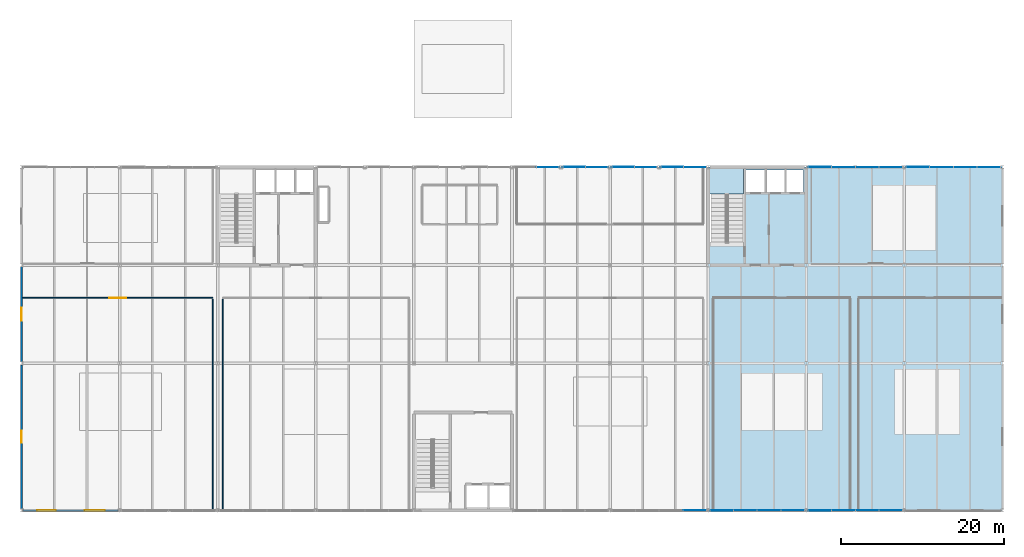
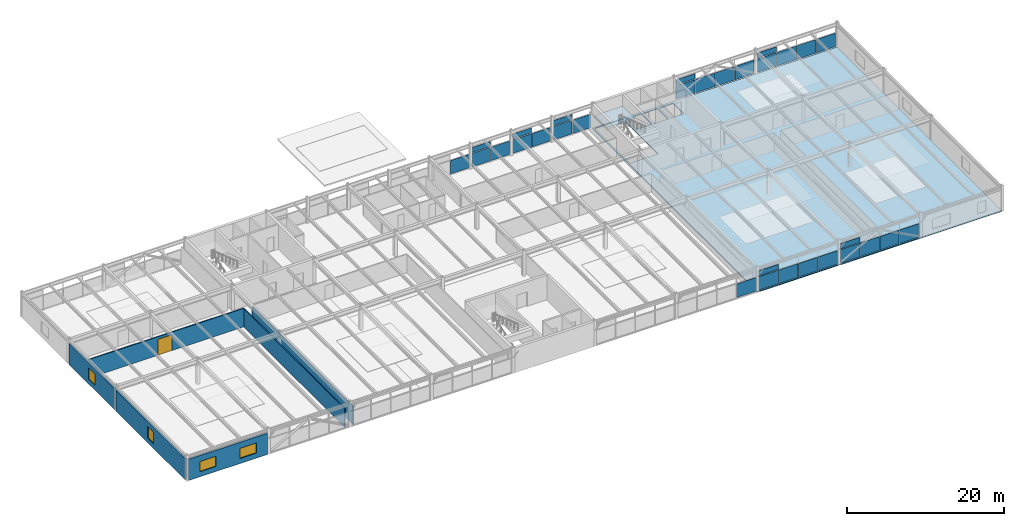
# One storey, part 40 of 49: 31 plates, 6 walls, 4 windows, 2 slabs, 1 door, 5 openings, 10 elements without a shape of their own.
"""IFC4 building model written with IfcOpenShell, lengths in metres."""

from ifc_helpers import new_model, si_unit, direction, frame, frame_2d, origin, origin_2d, place, context, subcontext, project, spatial, polyline, rectangle, outline, extrude, material, layer, layer_set, type_object, element, fill, aggregate, save


model = new_model("IFC4")

# Units and contexts
model_context = context("Model", 3, precision=1e-05, world=origin(), true_north=direction((0.0, 1.0)))
body_context = subcontext(model_context, "Body", "Model", "MODEL_VIEW")
ifc_project = project(units=[si_unit("LENGTHUNIT", "METRE"), si_unit("AREAUNIT", "SQUARE_METRE"), si_unit("VOLUMEUNIT", "CUBIC_METRE"), si_unit("PLANEANGLEUNIT", "RADIAN"), si_unit("MASSUNIT", "GRAM", prefix="KILO")], contexts=[model_context])

# Site, building, storey
site_placement = place(None, origin())
site = spatial("IfcSite", under=ifc_project, at=site_placement, CompositionType="ELEMENT")
building_placement = place(site_placement, origin())
building = spatial("IfcBuilding", under=site, at=building_placement, Name="Girod Span Mobility Hub", CompositionType="ELEMENT")
storey_placement = place(building_placement, frame((0.0, 0.0, 37.60009765625)))
storey = spatial("IfcBuildingStorey", under=building, at=storey_placement, Name="L09", CompositionType="ELEMENT", Elevation=37.60009765625)

# Curtain wall, plate
ifc_material_1 = material(Name="Thermally Broken Anodised Aluminium", Category="aluminium")
curtain_wall_type_1 = type_object("IfcCurtainWallType", Name="CW-561X329", PredefinedType="USERDEFINED", material=ifc_material_1)
curtain_wall_1_placement = place(storey_placement, origin())
curtain_wall_1 = element("IfcCurtainWall", 1, at=curtain_wall_1_placement, inside=storey, type_object=curtain_wall_type_1, Name="Unitised Curtain Wall CW-L09-N08E L09", ObjectType="UNITISED CURTAIN WALL", PredefinedType="USERDEFINED")
ifc_material_2 = material(Name="Double Low-E Insulated Glazing", Category="glass")
ifc_layer_1 = layer(ifc_material_2, 0.0380859375)
ifc_layer_set_1 = layer_set([ifc_layer_1], Name="Double Low-E Insulated Glazing")
plate_type_1 = type_object("IfcPlateType", Name="PLT-SPN-2734X841X38", PredefinedType="CURTAIN_PANEL", material=ifc_layer_set_1)
plate_1_placement = place(storey_placement, frame((91.596923828125, 69.0, 2.36962890625), z_axis=(0.0, 0.0, 1.0), x_axis=(1.0, 0.0, 0.0)))
plate_1 = element("IfcPlate", 2, at=plate_1_placement, type_object=plate_type_1, Name="Spandrel Glazing Panel CW-L09-N08E-S1", PredefinedType="CURTAIN_PANEL", context=body_context, shape_type="SweptSolid", body=[
    extrude(rectangle(XDim=2.73974609375, YDim=0.0380859375, at=origin_2d()), origin(), (0.0, 0.0, 1.0), 0.801513671875),
])

curtain_wall_2_placement = place(storey_placement, origin())
curtain_wall_2 = element("IfcCurtainWall", 3, at=curtain_wall_2_placement, inside=storey, type_object=curtain_wall_type_1, Name="Unitised Curtain Wall CW-L09-N09W L09", ObjectType="UNITISED CURTAIN WALL", PredefinedType="USERDEFINED")
plate_2_placement = place(storey_placement, frame((97.599365234375, 69.0, 2.36962890625), z_axis=(0.0, 0.0, 1.0), x_axis=(1.0, 0.0, 0.0)))
plate_2 = element("IfcPlate", 4, at=plate_2_placement, type_object=plate_type_1, Name="Spandrel Glazing Panel CW-L09-N09W-S1", PredefinedType="CURTAIN_PANEL", context=body_context, shape_type="SweptSolid", body=[
    extrude(rectangle(XDim=2.73974609375, YDim=0.0380859375, at=origin_2d()), origin(), (0.0, 0.0, 1.0), 0.801513671875),
])

curtain_wall_3_placement = place(storey_placement, origin())
curtain_wall_3 = element("IfcCurtainWall", 5, at=curtain_wall_3_placement, inside=storey, type_object=curtain_wall_type_1, Name="Unitised Curtain Wall CW-L09-N09E L09", ObjectType="UNITISED CURTAIN WALL", PredefinedType="USERDEFINED")
plate_3_placement = place(storey_placement, frame((103.596923828125, 69.0, 2.36962890625), z_axis=(0.0, 0.0, 1.0), x_axis=(1.0, 0.0, 0.0)))
plate_3 = element("IfcPlate", 6, at=plate_3_placement, type_object=plate_type_1, Name="Spandrel Glazing Panel CW-L09-N09E-S1", PredefinedType="CURTAIN_PANEL", context=body_context, shape_type="SweptSolid", body=[
    extrude(rectangle(XDim=2.73974609375, YDim=0.0380859375, at=origin_2d()), origin(), (0.0, 0.0, 1.0), 0.801513671875),
])

ifc_material_3 = material(Name="Thermally Broken Anodised Aluminium", Category="aluminium")
curtain_wall_type_2 = type_object("IfcCurtainWallType", Name="CW-1161X329", PredefinedType="USERDEFINED", material=ifc_material_3)
curtain_wall_4_placement = place(storey_placement, origin())
curtain_wall_4 = element("IfcCurtainWall", 7, at=curtain_wall_4_placement, inside=storey, type_object=curtain_wall_type_2, Name="Unitised Curtain Wall CW-L09-N11 L09", ObjectType="UNITISED CURTAIN WALL", PredefinedType="USERDEFINED")
ifc_material_4 = material(Name="Double Low-E Insulated Glazing", Category="glass")
ifc_layer_2 = layer(ifc_material_4, 0.0380859375)
ifc_layer_set_2 = layer_set([ifc_layer_2], Name="Double Low-E Insulated Glazing")
plate_type_2 = type_object("IfcPlateType", Name="PLT-SPN-2832X841X38", PredefinedType="CURTAIN_PANEL", material=ifc_layer_set_2)
plate_4_placement = place(storey_placement, frame((121.6484375, 69.0, 2.36962890625), z_axis=(0.0, 0.0, 1.0), x_axis=(1.0, 0.0, 0.0)))
plate_4 = element("IfcPlate", 8, at=plate_4_placement, type_object=plate_type_2, Name="Spandrel Glazing Panel CW-L09-N11-S1", PredefinedType="CURTAIN_PANEL", context=body_context, shape_type="SweptSolid", body=[
    extrude(rectangle(XDim=2.837890625, YDim=0.0380859375, at=origin_2d()), origin(), (0.0, 0.0, 1.0), 0.801513671875),
])

curtain_wall_5_placement = place(storey_placement, origin())
curtain_wall_5 = element("IfcCurtainWall", 9, at=curtain_wall_5_placement, inside=storey, type_object=curtain_wall_type_2, Name="Unitised Curtain Wall CW-L09-S10 L09", ObjectType="UNITISED CURTAIN WALL", PredefinedType="USERDEFINED")
ifc_material_5 = material(Name="Double Low-E Insulated Glazing", Category="glass")
ifc_layer_3 = layer(ifc_material_5, 0.0380859375)
ifc_layer_set_3 = layer_set([ifc_layer_3], Name="Double Low-E Insulated Glazing")
plate_type_3 = type_object("IfcPlateType", Name="PLT-SPN-2833X841X38", PredefinedType="CURTAIN_PANEL", material=ifc_layer_set_3)
plate_5_placement = place(storey_placement, frame((109.646240234375, 27.0, 2.36962890625), z_axis=(0.0, 0.0, 1.0), x_axis=(1.0, 0.0, 0.0)))
plate_5 = element("IfcPlate", 10, at=plate_5_placement, type_object=plate_type_3, Name="Spandrel Glazing Panel CW-L09-S10-S1", PredefinedType="CURTAIN_PANEL", context=body_context, shape_type="SweptSolid", body=[
    extrude(rectangle(XDim=2.83837890625, YDim=0.0380859375, at=origin_2d()), origin(), (0.0, 0.0, 1.0), 0.801513671875),
])

curtain_wall_6_placement = place(storey_placement, origin())
curtain_wall_6 = element("IfcCurtainWall", 11, at=curtain_wall_6_placement, inside=storey, type_object=curtain_wall_type_2, Name="Unitised Curtain Wall CW-L09-S11 L09", ObjectType="UNITISED CURTAIN WALL", PredefinedType="USERDEFINED")
plate_6_placement = place(storey_placement, frame((121.646240234375, 27.0, 2.36962890625), z_axis=(0.0, 0.0, 1.0), x_axis=(1.0, 0.0, 0.0)))
plate_6 = element("IfcPlate", 12, at=plate_6_placement, type_object=plate_type_3, Name="Spandrel Glazing Panel CW-L09-S11-S1", PredefinedType="CURTAIN_PANEL", context=body_context, shape_type="SweptSolid", body=[
    extrude(rectangle(XDim=2.83837890625, YDim=0.0380859375, at=origin_2d()), origin(), (0.0, 0.0, 1.0), 0.801513671875),
])

curtain_wall_7_placement = place(storey_placement, origin())
curtain_wall_7 = element("IfcCurtainWall", 13, at=curtain_wall_7_placement, inside=storey, type_object=curtain_wall_type_2, Name="Unitised Curtain Wall CW-L09-N12 L09", ObjectType="UNITISED CURTAIN WALL", PredefinedType="USERDEFINED")
plate_7_placement = place(storey_placement, frame((133.646240234375, 69.0, 2.36962890625), z_axis=(0.0, 0.0, 1.0), x_axis=(1.0, 0.0, 0.0)))
plate_7 = element("IfcPlate", 14, at=plate_7_placement, type_object=plate_type_3, Name="Spandrel Glazing Panel CW-L09-N12-S1", PredefinedType="CURTAIN_PANEL", context=body_context, shape_type="SweptSolid", body=[
    extrude(rectangle(XDim=2.83837890625, YDim=0.0380859375, at=origin_2d()), origin(), (0.0, 0.0, 1.0), 0.801513671875),
])

curtain_wall_8_placement = place(storey_placement, origin())
curtain_wall_8 = element("IfcCurtainWall", 15, at=curtain_wall_8_placement, inside=storey, type_object=curtain_wall_type_1, Name="Unitised Curtain Wall CW-L09-N08W L09", ObjectType="UNITISED CURTAIN WALL", PredefinedType="USERDEFINED")
ifc_material_6 = material(Name="Double Low-E Insulated Glazing", Category="glass")
ifc_layer_4 = layer(ifc_material_6, 0.02587890625)
ifc_layer_set_4 = layer_set([ifc_layer_4], Name="Double Low-E Insulated Glazing")
plate_type_4 = type_object("IfcPlateType", Name="PLT-VIS-2734X2370X26", PredefinedType="CURTAIN_PANEL", material=ifc_layer_set_4)
plate_8_placement = place(storey_placement, frame((88.403076171875, 69.0, 0.1396484375), z_axis=(0.0, 0.0, 1.0), x_axis=(1.0, 0.0, 0.0)))
plate_8 = element("IfcPlate", 16, at=plate_8_placement, type_object=plate_type_4, Name="Vision Glazing Panel CW-L09-N08W-V2", PredefinedType="CURTAIN_PANEL", context=body_context, shape_type="SweptSolid", body=[
    extrude(rectangle(XDim=2.73974609375, YDim=0.02587890625, at=origin_2d()), origin(), (0.0, 0.0, 1.0), 2.109619140625),
])
aggregate(curtain_wall_8, [plate_8])

# Plate
plate_9_placement = place(storey_placement, frame((91.596923828125, 69.0, 0.1396484375), z_axis=(0.0, 0.0, 1.0), x_axis=(1.0, 0.0, 0.0)))
plate_9 = element("IfcPlate", 17, at=plate_9_placement, type_object=plate_type_4, Name="Vision Glazing Panel CW-L09-N08E-V1", PredefinedType="CURTAIN_PANEL", context=body_context, shape_type="SweptSolid", body=[
    extrude(rectangle(XDim=2.73974609375, YDim=0.02587890625, at=origin_2d()), origin(), (0.0, 0.0, 1.0), 2.109619140625),
])

plate_10_placement = place(storey_placement, frame((94.400634765625, 69.0, 0.1396484375), z_axis=(0.0, 0.0, 1.0), x_axis=(1.0, 0.0, 0.0)))
plate_10 = element("IfcPlate", 18, at=plate_10_placement, type_object=plate_type_4, Name="Vision Glazing Panel CW-L09-N08E-V2", PredefinedType="CURTAIN_PANEL", context=body_context, shape_type="SweptSolid", body=[
    extrude(rectangle(XDim=2.73974609375, YDim=0.02587890625, at=origin_2d()), origin(), (0.0, 0.0, 1.0), 2.109619140625),
])

aggregate(curtain_wall_1, [plate_9, plate_1, plate_10])

plate_11_placement = place(storey_placement, frame((97.599365234375, 69.0, 0.1396484375), z_axis=(0.0, 0.0, 1.0), x_axis=(1.0, 0.0, 0.0)))
plate_11 = element("IfcPlate", 19, at=plate_11_placement, type_object=plate_type_4, Name="Vision Glazing Panel CW-L09-N09W-V1", PredefinedType="CURTAIN_PANEL", context=body_context, shape_type="SweptSolid", body=[
    extrude(rectangle(XDim=2.73974609375, YDim=0.02587890625, at=origin_2d()), origin(), (0.0, 0.0, 1.0), 2.109619140625),
])

plate_12_placement = place(storey_placement, frame((100.403076171875, 69.0, 0.1396484375), z_axis=(0.0, 0.0, 1.0), x_axis=(1.0, 0.0, 0.0)))
plate_12 = element("IfcPlate", 20, at=plate_12_placement, type_object=plate_type_4, Name="Vision Glazing Panel CW-L09-N09W-V2", PredefinedType="CURTAIN_PANEL", context=body_context, shape_type="SweptSolid", body=[
    extrude(rectangle(XDim=2.73974609375, YDim=0.02587890625, at=origin_2d()), origin(), (0.0, 0.0, 1.0), 2.109619140625),
])

aggregate(curtain_wall_2, [plate_11, plate_2, plate_12])

plate_13_placement = place(storey_placement, frame((103.596923828125, 69.0, 0.1396484375), z_axis=(0.0, 0.0, 1.0), x_axis=(1.0, 0.0, 0.0)))
plate_13 = element("IfcPlate", 21, at=plate_13_placement, type_object=plate_type_4, Name="Vision Glazing Panel CW-L09-N09E-V1", PredefinedType="CURTAIN_PANEL", context=body_context, shape_type="SweptSolid", body=[
    extrude(rectangle(XDim=2.73974609375, YDim=0.02587890625, at=origin_2d()), origin(), (0.0, 0.0, 1.0), 2.109619140625),
])

plate_14_placement = place(storey_placement, frame((106.400634765625, 69.0, 0.1396484375), z_axis=(0.0, 0.0, 1.0), x_axis=(1.0, 0.0, 0.0)))
plate_14 = element("IfcPlate", 22, at=plate_14_placement, type_object=plate_type_4, Name="Vision Glazing Panel CW-L09-N09E-V2", PredefinedType="CURTAIN_PANEL", context=body_context, shape_type="SweptSolid", body=[
    extrude(rectangle(XDim=2.73974609375, YDim=0.02587890625, at=origin_2d()), origin(), (0.0, 0.0, 1.0), 2.109619140625),
])

aggregate(curtain_wall_3, [plate_13, plate_3, plate_14])

ifc_material_7 = material(Name="Double Low-E Insulated Glazing", Category="glass")
ifc_layer_5 = layer(ifc_material_7, 0.02587890625)
ifc_layer_set_5 = layer_set([ifc_layer_5], Name="Double Low-E Insulated Glazing")
plate_type_5 = type_object("IfcPlateType", Name="PLT-VIS-2832X2370X26", PredefinedType="CURTAIN_PANEL", material=ifc_layer_set_5)
plate_15_placement = place(storey_placement, frame((121.6484375, 69.0, 0.1396484375), z_axis=(0.0, 0.0, 1.0), x_axis=(1.0, 0.0, 0.0)))
plate_15 = element("IfcPlate", 23, at=plate_15_placement, type_object=plate_type_5, Name="Vision Glazing Panel CW-L09-N11-V1", PredefinedType="CURTAIN_PANEL", context=body_context, shape_type="SweptSolid", body=[
    extrude(rectangle(XDim=2.837890625, YDim=0.02587890625, at=origin_2d()), origin(), (0.0, 0.0, 1.0), 2.109619140625),
])

plate_16_placement = place(storey_placement, frame((124.55029296875, 69.0, 0.1396484375), z_axis=(0.0, 0.0, 1.0), x_axis=(1.0, 0.0, 0.0)))
plate_16 = element("IfcPlate", 24, at=plate_16_placement, type_object=plate_type_5, Name="Vision Glazing Panel CW-L09-N11-V2", PredefinedType="CURTAIN_PANEL", context=body_context, shape_type="SweptSolid", body=[
    extrude(rectangle(XDim=2.837890625, YDim=0.02587890625, at=origin_2d()), origin(), (0.0, 0.0, 1.0), 2.109619140625),
])

plate_17_placement = place(storey_placement, frame((127.4521484375, 69.0, 0.1396484375), z_axis=(0.0, 0.0, 1.0), x_axis=(1.0, 0.0, 0.0)))
plate_17 = element("IfcPlate", 25, at=plate_17_placement, type_object=plate_type_5, Name="Vision Glazing Panel CW-L09-N11-V3", PredefinedType="CURTAIN_PANEL", context=body_context, shape_type="SweptSolid", body=[
    extrude(rectangle(XDim=2.837890625, YDim=0.02587890625, at=origin_2d()), origin(), (0.0, 0.0, 1.0), 2.109619140625),
])

plate_18_placement = place(storey_placement, frame((130.35400390625, 69.0, 0.1396484375), z_axis=(0.0, 0.0, 1.0), x_axis=(1.0, 0.0, 0.0)))
plate_18 = element("IfcPlate", 26, at=plate_18_placement, type_object=plate_type_5, Name="Vision Glazing Panel CW-L09-N11-V4", PredefinedType="CURTAIN_PANEL", context=body_context, shape_type="SweptSolid", body=[
    extrude(rectangle(XDim=2.837890625, YDim=0.02587890625, at=origin_2d()), origin(), (0.0, 0.0, 1.0), 2.109619140625),
])

aggregate(curtain_wall_4, [plate_15, plate_4, plate_16, plate_17, plate_18])

# Curtain wall, plate
curtain_wall_9_placement = place(storey_placement, origin())
curtain_wall_9 = element("IfcCurtainWall", 27, at=curtain_wall_9_placement, inside=storey, type_object=curtain_wall_type_2, Name="Unitised Curtain Wall CW-L09-S09 L09", ObjectType="UNITISED CURTAIN WALL", PredefinedType="USERDEFINED")
ifc_material_8 = material(Name="Double Low-E Insulated Glazing", Category="glass")
ifc_layer_6 = layer(ifc_material_8, 0.02587890625)
ifc_layer_set_6 = layer_set([ifc_layer_6], Name="Double Low-E Insulated Glazing")
plate_type_6 = type_object("IfcPlateType", Name="PLT-VIS-2833X2370X26", PredefinedType="CURTAIN_PANEL", material=ifc_layer_set_6)
plate_19_placement = place(storey_placement, frame((106.353759765625, 27.0, 0.1396484375), z_axis=(0.0, 0.0, 1.0), x_axis=(1.0, 0.0, 0.0)))
plate_19 = element("IfcPlate", 28, at=plate_19_placement, type_object=plate_type_6, Name="Vision Glazing Panel CW-L09-S09-V4", PredefinedType="CURTAIN_PANEL", context=body_context, shape_type="SweptSolid", body=[
    extrude(rectangle(XDim=2.83837890625, YDim=0.02587890625, at=origin_2d()), origin(), (0.0, 0.0, 1.0), 2.109619140625),
])
aggregate(curtain_wall_9, [plate_19])

# Plate
plate_20_placement = place(storey_placement, frame((109.646240234375, 27.0, 0.1396484375), z_axis=(0.0, 0.0, 1.0), x_axis=(1.0, 0.0, 0.0)))
plate_20 = element("IfcPlate", 29, at=plate_20_placement, type_object=plate_type_6, Name="Vision Glazing Panel CW-L09-S10-V1", PredefinedType="CURTAIN_PANEL", context=body_context, shape_type="SweptSolid", body=[
    extrude(rectangle(XDim=2.83837890625, YDim=0.02587890625, at=origin_2d()), origin(), (0.0, 0.0, 1.0), 2.109619140625),
])

plate_21_placement = place(storey_placement, frame((112.548828125, 27.0, 0.1396484375), z_axis=(0.0, 0.0, 1.0), x_axis=(1.0, 0.0, 0.0)))
plate_21 = element("IfcPlate", 30, at=plate_21_placement, type_object=plate_type_6, Name="Vision Glazing Panel CW-L09-S10-V2", PredefinedType="CURTAIN_PANEL", context=body_context, shape_type="SweptSolid", body=[
    extrude(rectangle(XDim=2.83837890625, YDim=0.02587890625, at=origin_2d()), origin(), (0.0, 0.0, 1.0), 2.109619140625),
])

plate_22_placement = place(storey_placement, frame((115.451171875, 27.0, 0.1396484375), z_axis=(0.0, 0.0, 1.0), x_axis=(1.0, 0.0, 0.0)))
plate_22 = element("IfcPlate", 31, at=plate_22_placement, type_object=plate_type_6, Name="Vision Glazing Panel CW-L09-S10-V3", PredefinedType="CURTAIN_PANEL", context=body_context, shape_type="SweptSolid", body=[
    extrude(rectangle(XDim=2.83837890625, YDim=0.02587890625, at=origin_2d()), origin(), (0.0, 0.0, 1.0), 2.109619140625),
])

plate_23_placement = place(storey_placement, frame((118.353759765625, 27.0, 0.1396484375), z_axis=(0.0, 0.0, 1.0), x_axis=(1.0, 0.0, 0.0)))
plate_23 = element("IfcPlate", 32, at=plate_23_placement, type_object=plate_type_6, Name="Vision Glazing Panel CW-L09-S10-V4", PredefinedType="CURTAIN_PANEL", context=body_context, shape_type="SweptSolid", body=[
    extrude(rectangle(XDim=2.83837890625, YDim=0.02587890625, at=origin_2d()), origin(), (0.0, 0.0, 1.0), 2.109619140625),
])

aggregate(curtain_wall_5, [plate_20, plate_5, plate_21, plate_22, plate_23])

plate_24_placement = place(storey_placement, frame((121.646240234375, 27.0, 0.1396484375), z_axis=(0.0, 0.0, 1.0), x_axis=(1.0, 0.0, 0.0)))
plate_24 = element("IfcPlate", 33, at=plate_24_placement, type_object=plate_type_6, Name="Vision Glazing Panel CW-L09-S11-V1", PredefinedType="CURTAIN_PANEL", context=body_context, shape_type="SweptSolid", body=[
    extrude(rectangle(XDim=2.83837890625, YDim=0.02587890625, at=origin_2d()), origin(), (0.0, 0.0, 1.0), 2.109619140625),
])

plate_25_placement = place(storey_placement, frame((124.548828125, 27.0, 0.1396484375), z_axis=(0.0, 0.0, 1.0), x_axis=(1.0, 0.0, 0.0)))
plate_25 = element("IfcPlate", 34, at=plate_25_placement, type_object=plate_type_6, Name="Vision Glazing Panel CW-L09-S11-V2", PredefinedType="CURTAIN_PANEL", context=body_context, shape_type="SweptSolid", body=[
    extrude(rectangle(XDim=2.83837890625, YDim=0.02587890625, at=origin_2d()), origin(), (0.0, 0.0, 1.0), 2.109619140625),
])

plate_26_placement = place(storey_placement, frame((127.451171875, 27.0, 0.1396484375), z_axis=(0.0, 0.0, 1.0), x_axis=(1.0, 0.0, 0.0)))
plate_26 = element("IfcPlate", 35, at=plate_26_placement, type_object=plate_type_6, Name="Vision Glazing Panel CW-L09-S11-V3", PredefinedType="CURTAIN_PANEL", context=body_context, shape_type="SweptSolid", body=[
    extrude(rectangle(XDim=2.83837890625, YDim=0.02587890625, at=origin_2d()), origin(), (0.0, 0.0, 1.0), 2.109619140625),
])

plate_27_placement = place(storey_placement, frame((130.353759765625, 27.0, 0.1396484375), z_axis=(0.0, 0.0, 1.0), x_axis=(1.0, 0.0, 0.0)))
plate_27 = element("IfcPlate", 36, at=plate_27_placement, type_object=plate_type_6, Name="Vision Glazing Panel CW-L09-S11-V4", PredefinedType="CURTAIN_PANEL", context=body_context, shape_type="SweptSolid", body=[
    extrude(rectangle(XDim=2.83837890625, YDim=0.02587890625, at=origin_2d()), origin(), (0.0, 0.0, 1.0), 2.109619140625),
])

aggregate(curtain_wall_6, [plate_24, plate_6, plate_25, plate_26, plate_27])

plate_28_placement = place(storey_placement, frame((133.646240234375, 69.0, 0.1396484375), z_axis=(0.0, 0.0, 1.0), x_axis=(1.0, 0.0, 0.0)))
plate_28 = element("IfcPlate", 37, at=plate_28_placement, type_object=plate_type_6, Name="Vision Glazing Panel CW-L09-N12-V1", PredefinedType="CURTAIN_PANEL", context=body_context, shape_type="SweptSolid", body=[
    extrude(rectangle(XDim=2.83837890625, YDim=0.02587890625, at=origin_2d()), origin(), (0.0, 0.0, 1.0), 2.109619140625),
])

plate_29_placement = place(storey_placement, frame((136.548828125, 69.0, 0.1396484375), z_axis=(0.0, 0.0, 1.0), x_axis=(1.0, 0.0, 0.0)))
plate_29 = element("IfcPlate", 38, at=plate_29_placement, type_object=plate_type_6, Name="Vision Glazing Panel CW-L09-N12-V2", PredefinedType="CURTAIN_PANEL", context=body_context, shape_type="SweptSolid", body=[
    extrude(rectangle(XDim=2.83837890625, YDim=0.02587890625, at=origin_2d()), origin(), (0.0, 0.0, 1.0), 2.109619140625),
])

plate_30_placement = place(storey_placement, frame((139.451171875, 69.0, 0.1396484375), z_axis=(0.0, 0.0, 1.0), x_axis=(1.0, 0.0, 0.0)))
plate_30 = element("IfcPlate", 39, at=plate_30_placement, type_object=plate_type_6, Name="Vision Glazing Panel CW-L09-N12-V3", PredefinedType="CURTAIN_PANEL", context=body_context, shape_type="SweptSolid", body=[
    extrude(rectangle(XDim=2.83837890625, YDim=0.02587890625, at=origin_2d()), origin(), (0.0, 0.0, 1.0), 2.109619140625),
])

plate_31_placement = place(storey_placement, frame((142.353759765625, 69.0, 0.1396484375), z_axis=(0.0, 0.0, 1.0), x_axis=(1.0, 0.0, 0.0)))
plate_31 = element("IfcPlate", 40, at=plate_31_placement, type_object=plate_type_6, Name="Vision Glazing Panel CW-L09-N12-V4", PredefinedType="CURTAIN_PANEL", context=body_context, shape_type="SweptSolid", body=[
    extrude(rectangle(XDim=2.83837890625, YDim=0.02587890625, at=origin_2d()), origin(), (0.0, 0.0, 1.0), 2.109619140625),
])

aggregate(curtain_wall_7, [plate_28, plate_7, plate_29, plate_30, plate_31])

# Slab
ifc_material_9 = material(Name="Concrete C40/50", Category="concrete")
ifc_layer_7 = layer(ifc_material_9, 0.159912109375)
ifc_layer_set_7 = layer_set([ifc_layer_7], Name="Concrete C40/50")
slab_type_1 = type_object("IfcSlabType", Name="SL-FLR-160", PredefinedType="FLOOR", material=ifc_layer_set_7)
slab_1_placement = place(storey_placement, frame((0.0, 0.0, -0.16015625)))
element("IfcSlab", 41, at=slab_1_placement, inside=storey, type_object=slab_type_1, Name="Floor Slab L09 Sector E", PredefinedType="FLOOR", context=body_context, shape_type="SweptSolid", body=[
    extrude(outline(polyline([(144.0, 69.0), (144.0, 27.0), (108.0, 27.0), (108.0, 69.0), (144.0, 69.0)]), holes=[polyline([(108.219970703125, 68.820068359375), (108.219970703125, 59.8349609375), (112.340087890625, 59.8349609375), (112.340087890625, 68.820068359375), (108.219970703125, 68.820068359375)]), polyline([(112.64990234375, 65.949951171875), (114.949951171875, 65.949951171875), (114.949951171875, 68.64990234375), (112.64990234375, 68.64990234375), (112.64990234375, 65.949951171875)]), polyline([(115.199951171875, 68.64990234375), (115.199951171875, 65.949951171875), (117.35009765625, 65.949951171875), (117.35009765625, 68.64990234375), (115.199951171875, 68.64990234375)]), polyline([(117.60009765625, 68.64990234375), (117.60009765625, 65.949951171875), (119.64990234375, 65.949951171875), (119.64990234375, 68.64990234375), (117.60009765625, 68.64990234375)])]), origin(), (0.0, 0.0, 1.0), 0.16015625),
])

# Stair, slab
ifc_material_10 = material(Name="Concrete C40/50", Category="concrete")
stair_type = type_object("IfcStairType", Name="STR-4000-W1860", PredefinedType="HALF_TURN_STAIR", material=ifc_material_10)
stair_placement = place(storey_placement, origin())
stair = element("IfcStair", 42, at=stair_placement, inside=storey, type_object=stair_type, Name="Exit Stair ST-2 L09", PredefinedType="HALF_TURN_STAIR")
ifc_material_11 = material(Name="Concrete C40/50", Category="concrete")
ifc_layer_8 = layer(ifc_material_11, 0.35498046875)
ifc_layer_set_8 = layer_set([ifc_layer_8], Name="Concrete C40/50")
slab_type_2 = type_object("IfcSlabType", Name="SL-LND-355", PredefinedType="LANDING", material=ifc_layer_set_8)
slab_2_placement = place(storey_placement, frame((0.0, 0.0, 1.64501953125)))
slab_2 = element("IfcSlab", 43, at=slab_2_placement, type_object=slab_type_2, Name="Stair ST-2 Half-Landing L09", PredefinedType="LANDING", context=body_context, shape_type="SweptSolid", body=[
    extrude(outline(polyline([(112.3349609375, 65.68603515625), (112.3349609375, 68.8349609375), (108.1650390625, 68.8349609375), (108.1650390625, 65.68603515625), (112.3349609375, 65.68603515625)])), origin(), (0.0, 0.0, 1.0), 0.35498046875),
])
aggregate(stair, [slab_2])

# Wall, openings, windows
ifc_material_12 = material(Name="Precast Architectural Concrete C40/50", Category="concrete")
ifc_layer_9 = layer(ifc_material_12, 0.27001953125)
ifc_layer_set_9 = layer_set([ifc_layer_9], Name="Precast Architectural Concrete C40/50")
wall_type_1 = type_object("IfcWallType", Name="W-EXT-270", PredefinedType="SOLIDWALL", material=ifc_layer_set_9)
wall_1_placement = place(storey_placement, frame((24.195068359375, 27.0, 0.0), z_axis=(0.0, 0.0, 1.0), x_axis=(1.0, 0.0, 0.0)))
wall_1 = element("IfcWall", 44, at=wall_1_placement, inside=storey, type_object=wall_type_1, Name="Office Insulated Facade Wall S-3 L09", PredefinedType="SOLIDWALL", context=body_context, shape_type="SweptSolid", body=[
    extrude(rectangle(XDim=11.60986328125, YDim=0.27001953125, at=frame_2d((5.804931640625, 0.0))), origin(), (0.0, 0.0, 1.0), 3.291015625),
])
opening_1_placement = place(wall_1_placement, frame((1.699951171875, 0.0, 0.780029296875)))
opening_1 = element("IfcOpeningElement", 45, at=opening_1_placement, cuts=wall_1, Name="Opening W-L09-S2A", PredefinedType="OPENING", context=body_context, shape_type="SweptSolid", body=[
    extrude(rectangle(XDim=2.300048828125, YDim=1.580078125, at=frame_2d((1.14990234375, 0.7900390625))), frame((0.0, 0.14990234375, 0.0), z_axis=(0.0, -1.0, 0.0), x_axis=(1.0, 0.0, 0.0)), (0.0, 0.0, 1.0), 0.300048828125),
])
opening_2_placement = place(wall_1_placement, frame((7.530029296875, 0.0, 0.780029296875)))
opening_2 = element("IfcOpeningElement", 46, at=opening_2_placement, cuts=wall_1, Name="Opening W-L09-S2B", PredefinedType="OPENING", context=body_context, shape_type="SweptSolid", body=[
    extrude(rectangle(XDim=2.4599609375, YDim=1.580078125, at=frame_2d((1.22998046875, 0.7900390625))), frame((0.0, 0.14990234375, 0.0), z_axis=(0.0, -1.0, 0.0), x_axis=(1.0, 0.0, 0.0)), (0.0, 0.0, 1.0), 0.300048828125),
])
ifc_material_13 = material(Name="Double Low-E Insulated Glazing", Category="glass")
window_type_1 = type_object("IfcWindowType", Name="WN-28", PartitioningType="DOUBLE_PANEL_VERTICAL", PredefinedType="WINDOW", material=ifc_material_13)
window_1_placement = place(opening_1_placement, origin())
window_1 = element("IfcWindow", 47, at=window_1_placement, inside=storey, type_object=window_type_1, Name="Office Window WN-28", OverallHeight=1.580078125, OverallWidth=2.300048828125, PartitioningType="DOUBLE_PANEL_VERTICAL", PredefinedType="WINDOW", context=body_context, shape_type="SweptSolid", body=[
    extrude(rectangle(XDim=2.300048828125, YDim=1.580078125, at=frame_2d((1.14990234375, 0.7900390625))), frame((0.0, 0.030029296875, 0.0), z_axis=(0.0, -1.0, 0.0), x_axis=(1.0, 0.0, 0.0)), (0.0, 0.0, 1.0), 0.06005859375),
])
fill(opening_1, window_1)
ifc_material_14 = material(Name="Double Low-E Insulated Glazing", Category="glass")
window_type_2 = type_object("IfcWindowType", Name="WN-29", PartitioningType="DOUBLE_PANEL_VERTICAL", PredefinedType="WINDOW", material=ifc_material_14)
window_2_placement = place(opening_2_placement, origin())
window_2 = element("IfcWindow", 48, at=window_2_placement, inside=storey, type_object=window_type_2, Name="Office Window WN-29", OverallHeight=1.580078125, OverallWidth=2.4599609375, PartitioningType="DOUBLE_PANEL_VERTICAL", PredefinedType="WINDOW", context=body_context, shape_type="SweptSolid", body=[
    extrude(rectangle(XDim=2.4599609375, YDim=1.580078125, at=frame_2d((1.22998046875, 0.7900390625))), frame((0.0, 0.030029296875, 0.0), z_axis=(0.0, -1.0, 0.0), x_axis=(1.0, 0.0, 0.0)), (0.0, 0.0, 1.0), 0.06005859375),
])
fill(opening_2, window_2)

# Wall, opening, window
wall_2_placement = place(storey_placement, frame((24.0, 27.185546875, 0.0), z_axis=(0.0, 0.0, 1.0), x_axis=(0.0, 1.0, 0.0)))
wall_2 = element("IfcWall", 49, at=wall_2_placement, inside=storey, type_object=wall_type_1, Name="End Facade Insulated Wall W-C L09", PredefinedType="SOLIDWALL", context=body_context, shape_type="SweptSolid", body=[
    extrude(rectangle(XDim=17.62890625, YDim=0.27001953125, at=frame_2d((8.814453125, 0.0))), origin(), (0.0, 0.0, 1.0), 3.291015625),
])
opening_3_placement = place(wall_2_placement, frame((8.0849609375, 0.0, 0.780029296875)))
opening_3 = element("IfcOpeningElement", 50, at=opening_3_placement, cuts=wall_2, Name="Opening W-L09-W2", PredefinedType="OPENING", context=body_context, shape_type="SweptSolid", body=[
    extrude(rectangle(XDim=1.4599609375, YDim=1.739990234375, at=frame_2d((0.72998046875, 0.8701171875))), frame((0.0, 0.14990234375, 0.0), z_axis=(0.0, -1.0, 0.0), x_axis=(1.0, 0.0, 0.0)), (0.0, 0.0, 1.0), 0.300048828125),
])
ifc_material_15 = material(Name="Double Low-E Insulated Glazing", Category="glass")
window_type_3 = type_object("IfcWindowType", Name="WN-32", PartitioningType="SINGLE_PANEL", PredefinedType="WINDOW", material=ifc_material_15)
window_3_placement = place(opening_3_placement, origin())
window_3 = element("IfcWindow", 51, at=window_3_placement, inside=storey, type_object=window_type_3, Name="End Office Window WN-32", OverallHeight=1.739990234375, OverallWidth=1.4599609375, PartitioningType="SINGLE_PANEL", PredefinedType="WINDOW", context=body_context, shape_type="SweptSolid", body=[
    extrude(rectangle(XDim=1.4599609375, YDim=1.739990234375, at=frame_2d((0.72998046875, 0.8701171875))), frame((0.0, 0.030029296875, 0.0), z_axis=(0.0, -1.0, 0.0), x_axis=(1.0, 0.0, 0.0)), (0.0, 0.0, 1.0), 0.06005859375),
])
fill(opening_3, window_3)

wall_3_placement = place(storey_placement, frame((24.0, 45.185546875, 0.0), z_axis=(0.0, 0.0, 1.0), x_axis=(0.0, 1.0, 0.0)))
wall_3 = element("IfcWall", 52, at=wall_3_placement, inside=storey, type_object=wall_type_1, Name="End Facade Insulated Wall W-D L09", PredefinedType="SOLIDWALL", context=body_context, shape_type="SweptSolid", body=[
    extrude(rectangle(XDim=11.62890625, YDim=0.27001953125, at=frame_2d((5.814453125, 0.0))), origin(), (0.0, 0.0, 1.0), 3.291015625),
])
opening_4_placement = place(wall_3_placement, frame((4.993896484375, 0.0, 0.780029296875)))
opening_4 = element("IfcOpeningElement", 53, at=opening_4_placement, cuts=wall_3, Name="Opening W-L09-W3", PredefinedType="OPENING", context=body_context, shape_type="SweptSolid", body=[
    extrude(rectangle(XDim=1.639892578125, YDim=1.739990234375, at=frame_2d((0.81982421875, 0.8701171875))), frame((0.0, 0.14990234375, 0.0), z_axis=(0.0, -1.0, 0.0), x_axis=(1.0, 0.0, 0.0)), (0.0, 0.0, 1.0), 0.300048828125),
])
ifc_material_16 = material(Name="Double Low-E Insulated Glazing", Category="glass")
window_type_4 = type_object("IfcWindowType", Name="WN-33", PartitioningType="SINGLE_PANEL", PredefinedType="WINDOW", material=ifc_material_16)
window_4_placement = place(opening_4_placement, origin())
window_4 = element("IfcWindow", 54, at=window_4_placement, inside=storey, type_object=window_type_4, Name="End Office Window WN-33", OverallHeight=1.739990234375, OverallWidth=1.639892578125, PartitioningType="SINGLE_PANEL", PredefinedType="WINDOW", context=body_context, shape_type="SweptSolid", body=[
    extrude(rectangle(XDim=1.639892578125, YDim=1.739990234375, at=frame_2d((0.81982421875, 0.8701171875))), frame((0.0, 0.030029296875, 0.0), z_axis=(0.0, -1.0, 0.0), x_axis=(1.0, 0.0, 0.0)), (0.0, 0.0, 1.0), 0.06005859375),
])
fill(opening_4, window_4)

# Wall, opening, door
ifc_material_17 = material(Name="Fire-Rated Gypsum Board on Metal Studs", Category="gypsum")
ifc_layer_10 = layer(ifc_material_17, 0.139892578125)
ifc_layer_set_10 = layer_set([ifc_layer_10], Name="Fire-Rated Gypsum Board on Metal Studs")
wall_type_2 = type_object("IfcWallType", Name="W-PT-140", PredefinedType="PARTITIONING", material=ifc_layer_set_10)
wall_4_placement = place(storey_placement, frame((24.139892578125, 53.0, 0.0), z_axis=(0.0, 0.0, 1.0), x_axis=(1.0, 0.0, 0.0)))
wall_4 = element("IfcWall", 55, at=wall_4_placement, inside=storey, type_object=wall_type_2, Name="Office Suite South West L09 Partition N", PredefinedType="PARTITIONING", context=body_context, shape_type="SweptSolid", body=[
    extrude(rectangle(XDim=23.260009765625, YDim=0.139892578125, at=frame_2d((11.6298828125, 0.0))), origin(), (0.0, 0.0, 1.0), 2.8798828125),
])
opening_5_placement = place(wall_4_placement, frame((10.580078125, 0.0, 0.0)))
opening_5 = element("IfcOpeningElement", 56, at=opening_5_placement, cuts=wall_4, Name="Opening D-L09-OFF-SW", PredefinedType="OPENING", context=body_context, shape_type="SweptSolid", body=[
    extrude(rectangle(XDim=2.10009765625, YDim=2.469970703125, at=frame_2d((1.050048828125, 1.23486328125))), frame((0.0, 0.0849609375, 0.0), z_axis=(0.0, -1.0, 0.0), x_axis=(1.0, 0.0, 0.0)), (0.0, 0.0, 1.0), 0.169921875),
])
ifc_material_18 = material(Name="Solid-Core Architectural Timber", Category="wood")
door_type = type_object("IfcDoorType", Name="DT-NR-22", OperationType="DOUBLE_DOOR_SINGLE_SWING", PredefinedType="DOOR", material=ifc_material_18)
door_placement = place(opening_5_placement, origin())
door = element("IfcDoor", 57, at=door_placement, inside=storey, type_object=door_type, Name="Office Suite South West L09 Door", OperationType="DOUBLE_DOOR_SINGLE_SWING", OverallHeight=2.469970703125, OverallWidth=2.10009765625, PredefinedType="DOOR", context=body_context, shape_type="SweptSolid", body=[
    extrude(rectangle(XDim=2.10009765625, YDim=2.469970703125, at=frame_2d((1.050048828125, 1.23486328125))), frame((0.0, 0.02490234375, 0.0), z_axis=(0.0, -1.0, 0.0), x_axis=(1.0, 0.0, 0.0)), (0.0, 0.0, 1.0), 0.050048828125),
])
fill(opening_5, door)

# Walls
for number, where, z_axis, x_axis, name in (
    (58, (47.39990234375, 27.139892578125, 0.0), (0.0, 0.0, 1.0), (0.0, 1.0, 0.0), "Office Suite South West L09 Partition E"),
    (59, (48.60009765625, 27.139892578125, 0.0), (0.0, 0.0, 1.0), (0.0, 1.0, 0.0), "Conference Room West L09 Partition W"),
):
    element("IfcWall", number, at=place(storey_placement, frame(where, z_axis=z_axis, x_axis=x_axis)), inside=storey, type_object=wall_type_2, Name=name, PredefinedType="PARTITIONING", context=body_context, shape_type="SweptSolid", body=[
        extrude(rectangle(XDim=25.7001953125, YDim=0.139892578125, at=frame_2d((12.85009765625, 0.0))), origin(), (0.0, 0.0, 1.0), 2.8798828125),
    ])

save(model, "model.ifc")
